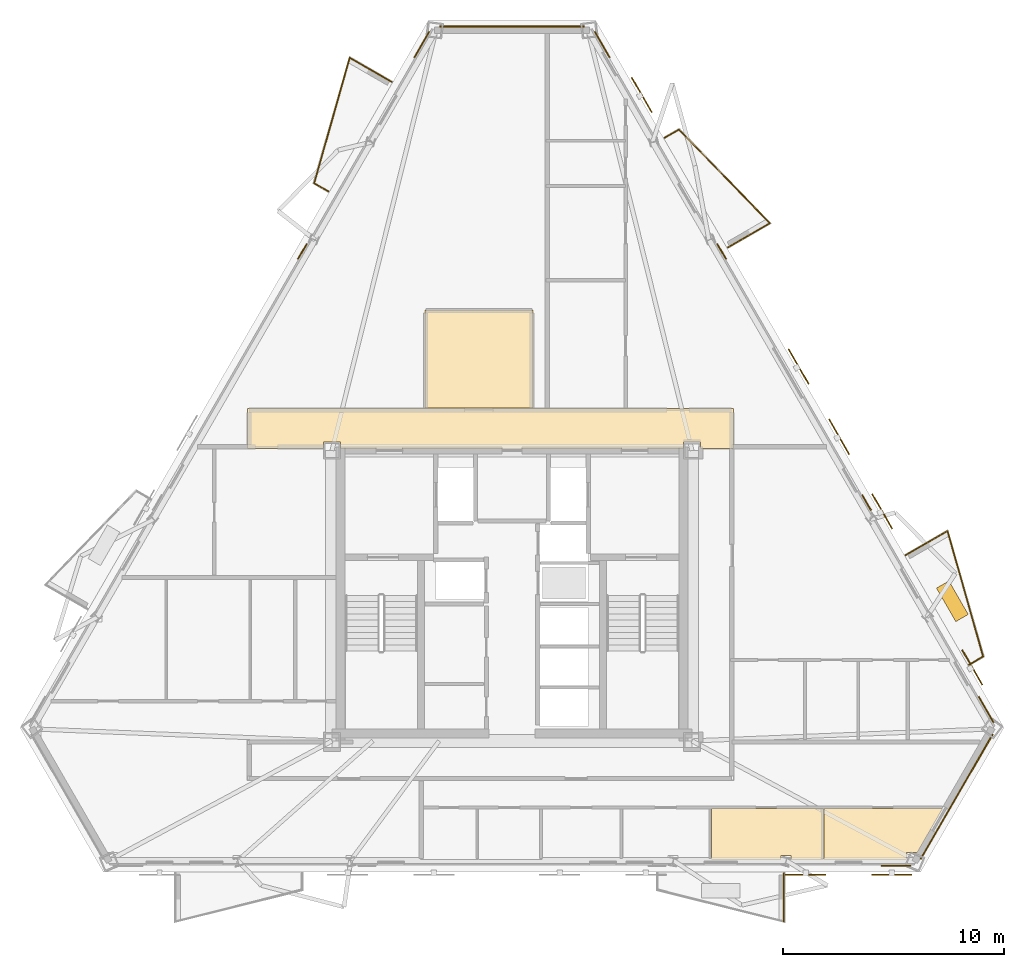
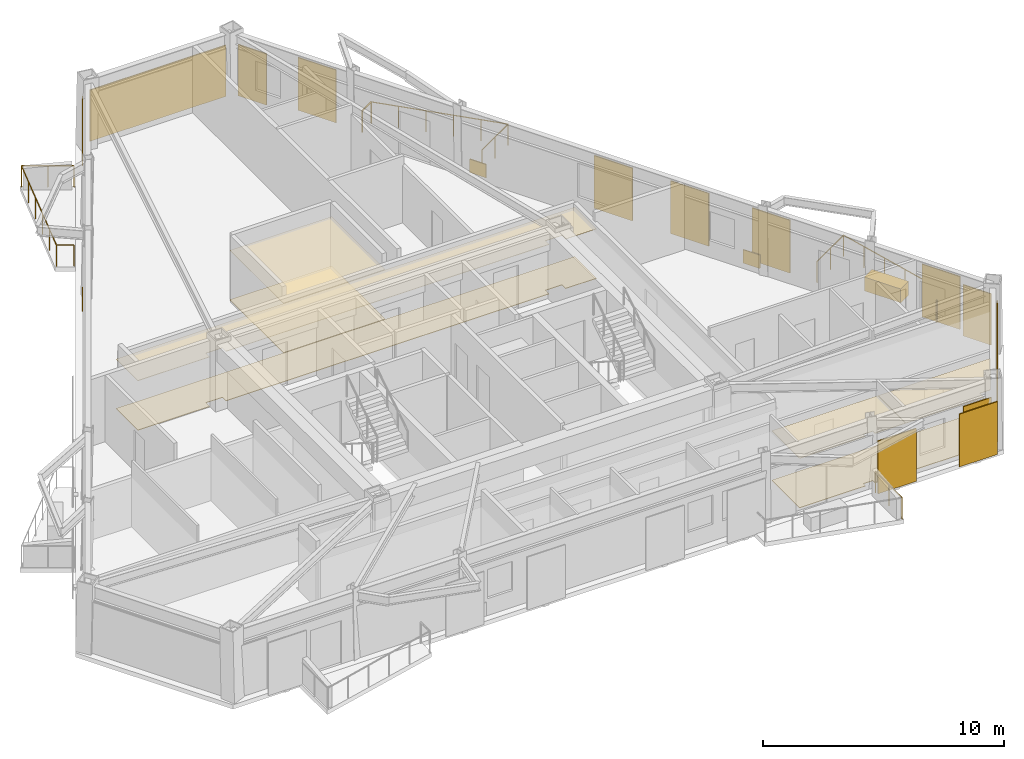
# One storey, part 9 of 10: 18 coverings, 10 railings, 7 shading devices.
"""IFC4 building model written with IfcOpenShell, lengths in metres."""

import ifcopenshell
import ifcopenshell.guid

model = None  # the IFC model being written
_history = None  # IfcOwnerHistory: only IFC2X3 demands one
_inside = {}  # id of a spatial element -> (the spatial element, [elements in it])
_under = {}  # id of a project, library or spatial element -> (it, [spatial elements below it])
_declared = {}  # id of a project -> (the project, [libraries it declares])
_typed = {}  # id of a type object -> (the type object, [elements of that type])
_made_of = {}  # id of a material, layer set ... -> (it, [elements and type objects made of it])


def new_model(schema):
    """Start an empty IFC model of exactly this schema.

    Asked for "IFC4X3", IfcOpenShell would pick the latest addendum, in which some entities
    have other attributes; the version numbers below select the first issue.
    IFC2X3 requires an IfcOwnerHistory on every rooted entity: one is made here for all.
    """
    global model, _history
    if schema == "IFC4X3":
        model = ifcopenshell.file(schema_version=(4, 3, 0, 0))
    else:
        model = ifcopenshell.file(schema=schema)
    _inside.clear()
    _under.clear()
    _declared.clear()
    _typed.clear()
    _made_of.clear()
    _history = None
    if model.schema == "IFC2X3":
        org = make("IfcOrganization", Name="unknown")
        user = make(
            "IfcPersonAndOrganization",
            ThePerson=make("IfcPerson", FamilyName="unknown"),
            TheOrganization=org,
        )
        app = make(
            "IfcApplication",
            ApplicationDeveloper=org,
            Version="unknown",
            ApplicationFullName="unknown",
            ApplicationIdentifier="unknown",
        )
        _history = make(
            "IfcOwnerHistory",
            OwningUser=user,
            OwningApplication=app,
            ChangeAction="ADDED",
            CreationDate=0,
        )
    return model


def make(cls, **values):
    """One entity of the class cls with the attributes given. An attribute that is None is left unset."""
    return model.create_entity(
        cls, **{name: value for name, value in values.items() if value is not None}
    )


def rooted(cls, **values):
    """An entity with a GlobalId (a new one), such as an element, a storey or a relation."""
    return make(cls, GlobalId=ifcopenshell.guid.new(), OwnerHistory=_history, **values)


def si_unit(unit_type, name, prefix=None):
    """IfcSIUnit, for example si_unit("LENGTHUNIT", "METRE", prefix="MILLI")."""
    return make("IfcSIUnit", UnitType=unit_type, Prefix=prefix, Name=name)


def assignment(units):
    """IfcUnitAssignment: the units of a project."""
    return None if units is None else make("IfcUnitAssignment", Units=units)


def point(xyz):
    """IfcCartesianPoint."""
    return None if xyz is None else make("IfcCartesianPoint", Coordinates=xyz)


def direction(xyz):
    """IfcDirection."""
    return None if xyz is None else make("IfcDirection", DirectionRatios=xyz)


def frame(location, z_axis=None, x_axis=None):
    """IfcAxis2Placement3D, a coordinate frame: its origin and axes. An axis left out is left unset."""
    return make(
        "IfcAxis2Placement3D",
        Location=point(location),
        Axis=direction(z_axis),
        RefDirection=direction(x_axis),
    )


def frame_2d(location, x_axis=None):
    """IfcAxis2Placement2D, a coordinate frame in the plane: its origin and x axis."""
    return make(
        "IfcAxis2Placement2D", Location=point(location), RefDirection=direction(x_axis)
    )


def origin():
    """The frame at (0, 0, 0) with its axes left unset."""
    return frame((0.0, 0.0, 0.0))


def origin_2d():
    """The frame at (0, 0) in the plane with its x axis left unset."""
    return frame_2d((0.0, 0.0))


def place(relative_to, where):
    """IfcLocalPlacement: puts the frame where relative to a parent placement (None: the world)."""
    return make(
        "IfcLocalPlacement", PlacementRelTo=relative_to, RelativePlacement=where
    )


def context(
    kind, dimensions, precision=None, world=None, true_north=None, identifier=None
):
    """IfcGeometricRepresentationContext, for example the 3D "Model" context."""
    return make(
        "IfcGeometricRepresentationContext",
        ContextIdentifier=identifier,
        ContextType=kind,
        CoordinateSpaceDimension=dimensions,
        Precision=precision,
        WorldCoordinateSystem=world,
        TrueNorth=true_north,
    )


def subcontext(parent, identifier, kind, view, scale=None):
    """IfcGeometricRepresentationSubContext, for example "Body" below "Model"."""
    return make(
        "IfcGeometricRepresentationSubContext",
        ContextIdentifier=identifier,
        ContextType=kind,
        ParentContext=parent,
        TargetScale=scale,
        TargetView=view,
    )


def project(units=None, contexts=None):
    """IfcProject with its units and contexts."""
    return rooted(
        "IfcProject",
        Name="project",
        RepresentationContexts=contexts,
        UnitsInContext=assignment(units),
    )


def spatial(cls, under=None, at=None, **own):
    """A site, building, storey or space (cls), placed at a placement, below another one or the project."""
    s = rooted(cls, ObjectPlacement=at, **own)
    if under is not None:
        _under.setdefault(under.id(), (under, []))[1].append(s)
    return s


def polyline(points):
    """IfcPolyline through the points."""
    return make("IfcPolyline", Points=[point(p) for p in points])


def profile(cls, at=None, kind="AREA", **sizes):
    """A parametric profile (cls). Its sizes go by their IFC names, for example OverallWidth=200.0."""
    return make(cls, ProfileType=kind, Position=at, **sizes)


def rectangle(**sizes):
    """IfcRectangleProfileDef."""
    return profile("IfcRectangleProfileDef", **sizes)


def circle(**sizes):
    """IfcCircleProfileDef."""
    return profile("IfcCircleProfileDef", **sizes)


def outline(outer, holes=None, kind="AREA"):
    """IfcArbitraryClosedProfileDef: a profile drawn as a closed curve; with holes, ...WithVoids."""
    if holes is None:
        return make("IfcArbitraryClosedProfileDef", ProfileType=kind, OuterCurve=outer)
    return make(
        "IfcArbitraryProfileDefWithVoids",
        ProfileType=kind,
        OuterCurve=outer,
        InnerCurves=holes,
    )


def extrude(swept, where, along, depth):
    """IfcExtrudedAreaSolid: the profile swept, set in the frame where, extruded along a direction by depth."""
    return make(
        "IfcExtrudedAreaSolid",
        SweptArea=swept,
        Position=where,
        ExtrudedDirection=direction(along),
        Depth=depth,
    )


def shape(context_of_items, identifier, shape_type, items):
    """IfcShapeRepresentation: the items that make up one representation, for example the "Body"."""
    return make(
        "IfcShapeRepresentation",
        ContextOfItems=context_of_items,
        RepresentationIdentifier=identifier,
        RepresentationType=shape_type,
        Items=items,
    )


def material(Name=None, Category=None):
    """IfcMaterial."""
    return make("IfcMaterial", Name=Name, Category=Category)


def layer(
    of_material, thickness, ventilated=None, Name=None, Category=None, Priority=None
):
    """IfcMaterialLayer: one layer of a wall or slab, of a material (None: an air gap)."""
    return make(
        "IfcMaterialLayer",
        Material=of_material,
        LayerThickness=thickness,
        IsVentilated=ventilated,
        Name=Name,
        Category=Category,
        Priority=Priority,
    )


def layer_set(layers, Name=None):
    """IfcMaterialLayerSet."""
    return make("IfcMaterialLayerSet", MaterialLayers=layers, LayerSetName=Name)


def made_of(thing, what):
    """Note that an element or type object is made of a material, layer set ...; save() writes the relation."""
    if what is not None:
        _made_of.setdefault(what.id(), (what, []))[1].append(thing)
    return thing


def type_object(cls, material=None, **own):
    """A type object (cls), such as IfcWallType, which elements share."""
    return made_of(rooted(cls, **own), material)


def element(
    cls,
    number,
    at=None,
    inside=None,
    cuts=None,
    type_object=None,
    material=None,
    context=None,
    identifier="Body",
    shape_type=None,
    held_by="IfcProductDefinitionShape",
    body=None,
    shapes=None,
    **own,
):
    """One element of the class cls, such as IfcWall. Its Tag is "e" and its number.

    at: its placement. inside: the storey or other place that contains it. cuts: it is an
    opening in that element (IfcRelVoidsElement). A single representation is given by context,
    identifier, shape_type and body (its items); several are given by shapes. held_by: the class
    of the entity that holds the representations. save() writes the other relations.
    """
    e = rooted(cls, Tag="e%d" % number, ObjectPlacement=at, **own)
    if body is not None:
        shapes = [shape(context, identifier, shape_type, body)]
    if shapes is not None:
        e.Representation = make(held_by, Representations=shapes)
    if inside is not None:
        _inside.setdefault(inside.id(), (inside, []))[1].append(e)
    if cuts is not None:
        rooted(
            "IfcRelVoidsElement", RelatingBuildingElement=cuts, RelatedOpeningElement=e
        )
    if type_object is not None:
        _typed.setdefault(type_object.id(), (type_object, []))[1].append(e)
    return made_of(e, material)


def aggregate(whole, parts):
    """IfcRelAggregates: a whole, such as a stair, and the parts it consists of."""
    return rooted("IfcRelAggregates", RelatingObject=whole, RelatedObjects=parts)


def save(model, path):
    """Write the relations noted so far, then the file.

    IfcRelAggregates (storeys below a building ...), IfcRelContainedInSpatialStructure (elements
    in a storey), IfcRelDefinesByType, IfcRelAssociatesMaterial and IfcRelDeclares: one each for
    every whole, place, type object, material and project.
    """
    for whole, parts in _under.values():
        aggregate(whole, parts)
    for where, things in _inside.values():
        rooted(
            "IfcRelContainedInSpatialStructure",
            RelatedElements=things,
            RelatingStructure=where,
        )
    for kind, things in _typed.values():
        rooted("IfcRelDefinesByType", RelatedObjects=things, RelatingType=kind)
    for what, things in _made_of.values():
        rooted("IfcRelAssociatesMaterial", RelatedObjects=things, RelatingMaterial=what)
    for by, libraries in _declared.values():
        rooted("IfcRelDeclares", RelatingContext=by, RelatedDefinitions=libraries)
    model.write(path)


model = new_model("IFC4")

# Units and contexts
model_context = context("Model", 3, precision=1e-05, world=origin(), true_north=direction((0.0, 1.0)))
body_context = subcontext(model_context, "Body", "Model", "MODEL_VIEW")
ifc_project = project(units=[si_unit("LENGTHUNIT", "METRE"), si_unit("AREAUNIT", "SQUARE_METRE"), si_unit("VOLUMEUNIT", "CUBIC_METRE"), si_unit("PLANEANGLEUNIT", "RADIAN"), si_unit("MASSUNIT", "GRAM", prefix="KILO")], contexts=[model_context])

# Site, building, storey
site_placement = place(None, origin())
site = spatial("IfcSite", under=ifc_project, at=site_placement, CompositionType="ELEMENT")
building_placement = place(site_placement, origin())
building = spatial("IfcBuilding", under=site, at=building_placement, Name="Oramaril Tower", CompositionType="ELEMENT")
storey_placement = place(building_placement, frame((0.0, 0.0, 209.10009765625)))
storey = spatial("IfcBuildingStorey", under=building, at=storey_placement, Name="L55", CompositionType="ELEMENT", Elevation=209.10009765625)

# Coverings
ifc_material_1 = material(Name="Mineral Fibre Acoustic Ceiling")
ifc_layer_1 = layer(ifc_material_1, 0.02001953125)
ifc_layer_set_1 = layer_set([ifc_layer_1], Name="CVT-CEIL")
covering_type_1 = type_object("IfcCoveringType", Name="CVT-CEIL", PredefinedType="CEILING", material=ifc_layer_set_1)
covering_1_placement = place(storey_placement, frame((0.0, 0.0, 2.511962890625)))
element("IfcCovering", 1, at=covering_1_placement, inside=storey, type_object=covering_type_1, Name="L55 Acoustic Suspended Ceiling 2", PredefinedType="CEILING", context=body_context, shape_type="SweptSolid", body=[
    extrude(outline(polyline([(47.530029296875, 24.239990234375), (46.044921875, 24.239990234375), (46.044921875, 24.544921875), (45.2548828125, 24.544921875), (45.2548828125, 24.25), (29.7451171875, 24.25), (29.7451171875, 24.544921875), (28.955078125, 24.544921875), (28.955078125, 24.239990234375), (25.52001953125, 24.239990234375), (25.52001953125, 26.050048828125), (47.530029296875, 26.050048828125), (47.530029296875, 24.239990234375)])), origin(), (0.0, 0.0, 1.0), 0.02001953125),
])
covering_2_placement = place(storey_placement, frame((0.0, 0.0, 2.511962890625)))
element("IfcCovering", 2, at=covering_2_placement, inside=storey, type_object=covering_type_1, Name="L55 Acoustic Suspended Ceiling 4", PredefinedType="CEILING", context=body_context, shape_type="SweptSolid", body=[
    extrude(outline(polyline([(38.44189453125, 30.511962890625), (38.44189453125, 26.070068359375), (33.55810546875, 26.070068359375), (33.55810546875, 30.511962890625), (38.44189453125, 30.511962890625)])), origin(), (0.0, 0.0, 1.0), 0.02001953125),
])
covering_3_placement = place(storey_placement, frame((0.0, 0.0, 2.511962890625)))
element("IfcCovering", 3, at=covering_3_placement, inside=storey, type_object=covering_type_1, Name="L55 Acoustic Suspended Ceiling 10", PredefinedType="CEILING", context=body_context, shape_type="SweptSolid", body=[
    extrude(outline(polyline([(50.13720703125, 5.625244140625), (50.13720703125, 5.80419921875), (49.67919921875, 5.80419921875), (49.67919921875, 5.625244140625), (46.521728515625, 5.625244140625), (46.521728515625, 7.9296875), (51.59912109375, 7.9296875), (51.59912109375, 5.625244140625), (50.13720703125, 5.625244140625)])), origin(), (0.0, 0.0, 1.0), 0.02001953125),
])
covering_4_placement = place(storey_placement, frame((0.0, 0.0, 2.511962890625)))
element("IfcCovering", 4, at=covering_4_placement, inside=storey, type_object=covering_type_1, Name="L55 Acoustic Suspended Ceiling 11", PredefinedType="CEILING", context=body_context, shape_type="SweptSolid", body=[
    extrude(outline(polyline([(55.36328125, 5.954833984375), (55.36328125, 5.625244140625), (51.619140625, 5.625244140625), (51.619140625, 7.9296875), (57.001220703125, 7.9296875), (55.861083984375, 5.954833984375), (55.36328125, 5.954833984375)])), origin(), (0.0, 0.0, 1.0), 0.02001953125),
])
ifc_material_2 = material(Name="Warm Cream Limestone", Category="masonry")
ifc_layer_2 = layer(ifc_material_2, 0.050048828125)
ifc_layer_set_2 = layer_set([ifc_layer_2], Name="CVT-CLD")
covering_type_2 = type_object("IfcCoveringType", Name="CVT-CLD", PredefinedType="CLADDING", material=ifc_layer_set_2)
covering_5_placement = place(storey_placement, frame((54.88330078125, 5.349365234375, 0.0400390625), z_axis=(0.0, 0.0, 1.0), x_axis=(1.0, 0.0, 0.0)))
element("IfcCovering", 5, at=covering_5_placement, inside=storey, type_object=covering_type_2, Name="L55 Warm Cream Limestone Cladding", PredefinedType="CLADDING", context=body_context, shape_type="SweptSolid", body=[
    extrude(rectangle(XDim=1.35009765625, YDim=0.050048828125, at=origin_2d()), origin(), (0.0, 0.0, 1.0), 2.596923828125),
])
covering_6_placement = place(storey_placement, frame((57.635009765625, 8.47509765625, 0.0400390625), z_axis=(0.0, 0.0, 1.0), x_axis=(0.500003022996, 0.86602365845, 0.0)))
element("IfcCovering", 6, at=covering_6_placement, inside=storey, type_object=covering_type_2, Name="L55 Warm Cream Limestone Cladding", PredefinedType="CLADDING", context=body_context, shape_type="SweptSolid", body=[
    extrude(rectangle(XDim=6.52490234375, YDim=0.050048828125, at=origin_2d()), origin(), (0.0, 0.0, 1.0), 2.596923828125),
])
for number, where, z_axis, x_axis, name in (
    (7, (58.966064453125, 12.4208984375, 0.0400390625), (0.0, 0.0, 1.0), (-0.500001511499, 0.866024531118, 0.0), "L55 Warm Cream Limestone Cladding"),
    (8, (41.582763671875, 42.52978515625, 0.0400390625), (0.0, 0.0, 1.0), (-0.500001511499, 0.866024531118, 0.0), "L55 Warm Cream Limestone Cladding"),
):
    element("IfcCovering", number, at=place(storey_placement, frame(where, z_axis=z_axis, x_axis=x_axis)), inside=storey, type_object=covering_type_2, Name=name, PredefinedType="CLADDING", context=body_context, shape_type="SweptSolid", body=[
        extrude(rectangle(XDim=1.35009765625, YDim=0.050048828125, at=origin_2d()), origin(), (0.0, 0.0, 1.0), 2.596923828125),
    ])
for number, where, z_axis, x_axis, name in (
    (9, (53.556396484375, 21.790771484375, 0.0400390625), (0.0, 0.0, 1.0), (-0.500001511499, 0.866024531118, 0.0), "L55 Warm Cream Limestone Spandrel Cladding"),
    (10, (46.992431640625, 33.159912109375, 0.0400390625), (0.0, 0.0, 1.0), (-0.500001511499, 0.866024531118, 0.0), "L55 Warm Cream Limestone Spandrel Cladding"),
):
    element("IfcCovering", number, at=place(storey_placement, frame(where, z_axis=z_axis, x_axis=x_axis)), inside=storey, type_object=covering_type_2, Name=name, PredefinedType="CLADDING", context=body_context, shape_type="SweptSolid", body=[
        extrude(rectangle(XDim=0.800048828125, YDim=0.050048828125, at=origin_2d()), origin(), (0.0, 0.0, 1.0), 0.679931640625),
    ])
covering_7_placement = place(storey_placement, frame((37.5, 43.349853515625, 0.0400390625), z_axis=(0.0, 0.0, 1.0), x_axis=(-1.0, 0.0, 0.0)))
element("IfcCovering", 11, at=covering_7_placement, inside=storey, type_object=covering_type_2, Name="L55 Warm Cream Limestone Cladding", PredefinedType="CLADDING", context=body_context, shape_type="SweptSolid", body=[
    extrude(rectangle(XDim=6.524658203125, YDim=0.050048828125, at=origin_2d()), origin(), (0.0, 0.0, 1.0), 2.596923828125),
])
covering_8_placement = place(storey_placement, frame((33.417236328125, 42.52978515625, 0.0400390625), z_axis=(0.0, 0.0, 1.0), x_axis=(-0.500001511499, -0.866024531118, 0.0)))
element("IfcCovering", 12, at=covering_8_placement, inside=storey, type_object=covering_type_2, Name="L55 Warm Cream Limestone Cladding", PredefinedType="CLADDING", context=body_context, shape_type="SweptSolid", body=[
    extrude(rectangle(XDim=1.35009765625, YDim=0.050048828125, at=origin_2d()), origin(), (0.0, 0.0, 1.0), 2.596923828125),
])
covering_9_placement = place(storey_placement, frame((28.007568359375, 33.159912109375, 0.0400390625), z_axis=(0.0, 0.0, 1.0), x_axis=(-0.500001511499, -0.866024531118, 0.0)))
element("IfcCovering", 13, at=covering_9_placement, inside=storey, type_object=covering_type_2, Name="L55 Warm Cream Limestone Spandrel Cladding", PredefinedType="CLADDING", context=body_context, shape_type="SweptSolid", body=[
    extrude(rectangle(XDim=0.800048828125, YDim=0.050048828125, at=origin_2d()), origin(), (0.0, 0.0, 1.0), 0.679931640625),
])
covering_10_placement = place(storey_placement, frame((57.438720703125, 17.323486328125, 0.0), z_axis=(0.0, 0.0, 1.0), x_axis=(-0.500001511499, 0.866024531118, 0.0)))
element("IfcCovering", 14, at=covering_10_placement, inside=storey, type_object=covering_type_2, Name="L55 Structural Tree Planter Box L55-BAL-NE1", PredefinedType="CLADDING", context=body_context, shape_type="SweptSolid", body=[
    extrude(rectangle(XDim=1.75, YDim=0.64990234375, at=origin_2d()), origin(), (0.0, 0.0, 1.0), 0.699951171875),
])
ifc_material_3 = material(Name="Honed Quartzite Stone Flooring", Category="masonry")
ifc_layer_3 = layer(ifc_material_3, 0.02490234375)
ifc_layer_set_3 = layer_set([ifc_layer_3], Name="CVT-FLR")
covering_type_3 = type_object("IfcCoveringType", Name="CVT-FLR", PredefinedType="FLOORING", material=ifc_layer_set_3)
covering_11_placement = place(storey_placement, origin())
element("IfcCovering", 15, at=covering_11_placement, inside=storey, type_object=covering_type_3, Name="L55 Honed Stone Floor Finish 2", PredefinedType="FLOORING", context=body_context, shape_type="SweptSolid", body=[
    extrude(outline(polyline([(47.530029296875, 24.239990234375), (46.044921875, 24.239990234375), (46.044921875, 24.544921875), (45.2548828125, 24.544921875), (45.2548828125, 24.25), (29.7451171875, 24.25), (29.7451171875, 24.544921875), (28.955078125, 24.544921875), (28.955078125, 24.239990234375), (25.52001953125, 24.239990234375), (25.52001953125, 26.050048828125), (47.530029296875, 26.050048828125), (47.530029296875, 24.239990234375)])), origin(), (0.0, 0.0, 1.0), 0.02490234375),
])
covering_12_placement = place(storey_placement, origin())
element("IfcCovering", 16, at=covering_12_placement, inside=storey, type_object=covering_type_3, Name="L55 Honed Stone Floor Finish 4", PredefinedType="FLOORING", context=body_context, shape_type="SweptSolid", body=[
    extrude(outline(polyline([(38.44189453125, 30.511962890625), (38.44189453125, 26.070068359375), (33.55810546875, 26.070068359375), (33.55810546875, 30.511962890625), (38.44189453125, 30.511962890625)])), origin(), (0.0, 0.0, 1.0), 0.02490234375),
])
covering_13_placement = place(storey_placement, origin())
element("IfcCovering", 17, at=covering_13_placement, inside=storey, type_object=covering_type_3, Name="L55 Honed Stone Floor Finish 10", PredefinedType="FLOORING", context=body_context, shape_type="SweptSolid", body=[
    extrude(outline(polyline([(50.13720703125, 5.625244140625), (50.13720703125, 5.80419921875), (49.67919921875, 5.80419921875), (49.67919921875, 5.625244140625), (46.521728515625, 5.625244140625), (46.521728515625, 7.9296875), (51.59912109375, 7.9296875), (51.59912109375, 5.625244140625), (50.13720703125, 5.625244140625)])), origin(), (0.0, 0.0, 1.0), 0.02490234375),
])
covering_14_placement = place(storey_placement, origin())
element("IfcCovering", 18, at=covering_14_placement, inside=storey, type_object=covering_type_3, Name="L55 Honed Stone Floor Finish 11", PredefinedType="FLOORING", context=body_context, shape_type="SweptSolid", body=[
    extrude(outline(polyline([(55.36328125, 5.954833984375), (55.36328125, 5.625244140625), (51.619140625, 5.625244140625), (51.619140625, 7.9296875), (57.001220703125, 7.9296875), (55.861083984375, 5.954833984375), (55.36328125, 5.954833984375)])), origin(), (0.0, 0.0, 1.0), 0.02490234375),
])

# Railings
ifc_material_4 = material(Name="Stainless Steel 316L", Category="steel")
railing_type = type_object("IfcRailingType", Name="RLT-GRD", PredefinedType="GUARDRAIL", material=ifc_material_4)
railing_1_placement = place(storey_placement, frame((49.813720703125, 5.00927734375, 0.0)))
element("IfcRailing", 19, at=railing_1_placement, inside=storey, type_object=railing_type, Name="L55 Balcony Guardrail L55-BAL-S2.1", PredefinedType="GUARDRAIL", context=body_context, shape_type="SweptSolid", body=[
    extrude(circle(Radius=0.02392578125, at=origin_2d()), frame((0.0, 0.0, 1.076171875), z_axis=(0.0, -1.0, 0.0), x_axis=(1.0, 0.0, 0.0)), (0.0, 0.0, 1.0), 2.19189453125),
    extrude(circle(Radius=0.02099609375, at=origin_2d()), origin(), (0.0, 0.0, 1.0), 1.052001953125),
    extrude(circle(Radius=0.02099609375, at=origin_2d()), frame((0.0, -1.095947265625, 0.0)), (0.0, 0.0, 1.0), 1.052001953125),
    extrude(circle(Radius=0.02099609375, at=origin_2d()), frame((0.0, -2.19189453125, 0.0)), (0.0, 0.0, 1.0), 1.052001953125),
])
railing_2_placement = place(storey_placement, frame((55.323486328125, 19.410400390625, 0.0)))
element("IfcRailing", 20, at=railing_2_placement, inside=storey, type_object=railing_type, Name="L55 Balcony Guardrail L55-BAL-NE1.1", PredefinedType="GUARDRAIL", context=body_context, shape_type="SweptSolid", body=[
    extrude(circle(Radius=0.02392578125, at=origin_2d()), frame((0.0, 0.0, 1.076171875), z_axis=(0.866020500697, 0.5000084923, 0.0), x_axis=(-0.5000084923, 0.866020500697, 0.0)), (0.0, 0.0, 1.0), 2.19189453125),
    extrude(circle(Radius=0.02099609375, at=origin_2d()), origin(), (0.0, 0.0, 1.0), 1.052001953125),
    extrude(circle(Radius=0.02099609375, at=origin_2d()), frame((0.94921875, 0.5478515625, 0.0)), (0.0, 0.0, 1.0), 1.052001953125),
    extrude(circle(Radius=0.02099609375, at=origin_2d()), frame((1.898193359375, 1.095947265625, 0.0)), (0.0, 0.0, 1.0), 1.052001953125),
])
railing_3_placement = place(storey_placement, frame((57.2216796875, 20.50634765625, 0.0)))
element("IfcRailing", 21, at=railing_3_placement, inside=storey, type_object=railing_type, Name="L55 Balcony Guardrail L55-BAL-NE1.2", PredefinedType="GUARDRAIL", context=body_context, shape_type="SweptSolid", body=[
    extrude(circle(Radius=0.02392578125, at=origin_2d()), frame((0.0, 0.0, 1.076171875), z_axis=(0.27224886544, -0.962226873074, 0.0), x_axis=(0.962226873074, 0.27224886544, 0.0)), (0.0, 0.0, 1.0), 5.910400390625),
    extrude(circle(Radius=0.02099609375, at=origin_2d()), origin(), (0.0, 0.0, 1.0), 1.052001953125),
    extrude(circle(Radius=0.02099609375, at=origin_2d()), frame((0.32177734375, -1.137451171875, 0.0)), (0.0, 0.0, 1.0), 1.052001953125),
    extrude(circle(Radius=0.02099609375, at=origin_2d()), frame((0.6435546875, -2.27490234375, 0.0)), (0.0, 0.0, 1.0), 1.052001953125),
    extrude(circle(Radius=0.02099609375, at=origin_2d()), frame((0.965576171875, -3.412353515625, 0.0)), (0.0, 0.0, 1.0), 1.052001953125),
    extrude(circle(Radius=0.02099609375, at=origin_2d()), frame((1.287353515625, -4.5498046875, 0.0)), (0.0, 0.0, 1.0), 1.052001953125),
    extrude(circle(Radius=0.02099609375, at=origin_2d()), frame((1.609130859375, -5.687255859375, 0.0)), (0.0, 0.0, 1.0), 1.052001953125),
])
railing_4_placement = place(storey_placement, frame((58.830810546875, 14.819091796875, 0.0)))
element("IfcRailing", 22, at=railing_4_placement, inside=storey, type_object=railing_type, Name="L55 Balcony Guardrail L55-BAL-NE1.3", PredefinedType="GUARDRAIL", context=body_context, shape_type="SweptSolid", body=[
    extrude(circle(Radius=0.02392578125, at=origin_2d()), frame((0.0, 0.0, 1.076171875), z_axis=(-0.866026623601, -0.49999788721, 0.0), x_axis=(0.49999788721, -0.866026623601, 0.0)), (0.0, 0.0, 1.0), 0.74169921875),
    extrude(circle(Radius=0.02099609375, at=origin_2d()), origin(), (0.0, 0.0, 1.0), 1.052001953125),
    extrude(circle(Radius=0.02099609375, at=origin_2d()), frame((-0.642333984375, -0.370849609375, 0.0)), (0.0, 0.0, 1.0), 1.052001953125),
])
railing_5_placement = place(storey_placement, frame((44.412109375, 38.309326171875, 0.0)))
element("IfcRailing", 23, at=railing_5_placement, inside=storey, type_object=railing_type, Name="L55 Balcony Guardrail L55-BAL-NE2.1", PredefinedType="GUARDRAIL", context=body_context, shape_type="SweptSolid", body=[
    extrude(circle(Radius=0.02392578125, at=origin_2d()), frame((0.0, 0.0, 1.076171875), z_axis=(0.865884080729, 0.500244698863, 0.0), x_axis=(-0.500244698863, 0.865884080729, 0.0)), (0.0, 0.0, 1.0), 0.741943359375),
    extrude(circle(Radius=0.02099609375, at=origin_2d()), origin(), (0.0, 0.0, 1.0), 1.052001953125),
    extrude(circle(Radius=0.02099609375, at=origin_2d()), frame((0.642333984375, 0.37109375, 0.0)), (0.0, 0.0, 1.0), 1.052001953125),
])
railing_6_placement = place(storey_placement, frame((45.054443359375, 38.680419921875, 0.0)))
element("IfcRailing", 24, at=railing_6_placement, inside=storey, type_object=railing_type, Name="L55 Balcony Guardrail L55-BAL-NE2.2", PredefinedType="GUARDRAIL", context=body_context, shape_type="SweptSolid", body=[
    extrude(circle(Radius=0.02392578125, at=origin_2d()), frame((0.0, 0.0, 1.076171875), z_axis=(0.697186915353, -0.716889395277, 0.0), x_axis=(0.716889395277, 0.697186915353, 0.0)), (0.0, 0.0, 1.0), 5.91064453125),
    extrude(circle(Radius=0.02099609375, at=origin_2d()), origin(), (0.0, 0.0, 1.0), 1.052001953125),
    extrude(circle(Radius=0.02099609375, at=origin_2d()), frame((0.82421875, -0.847412109375, 0.0)), (0.0, 0.0, 1.0), 1.052001953125),
    extrude(circle(Radius=0.02099609375, at=origin_2d()), frame((1.6484375, -1.69482421875, 0.0)), (0.0, 0.0, 1.0), 1.052001953125),
    extrude(circle(Radius=0.02099609375, at=origin_2d()), frame((2.472412109375, -2.54248046875, 0.0)), (0.0, 0.0, 1.0), 1.052001953125),
    extrude(circle(Radius=0.02099609375, at=origin_2d()), frame((3.296630859375, -3.389892578125, 0.0)), (0.0, 0.0, 1.0), 1.052001953125),
    extrude(circle(Radius=0.02099609375, at=origin_2d()), frame((4.120849609375, -4.2373046875, 0.0)), (0.0, 0.0, 1.0), 1.052001953125),
])
railing_7_placement = place(storey_placement, frame((49.17529296875, 34.443115234375, 0.0)))
element("IfcRailing", 25, at=railing_7_placement, inside=storey, type_object=railing_type, Name="L55 Balcony Guardrail L55-BAL-NE2.3", PredefinedType="GUARDRAIL", context=body_context, shape_type="SweptSolid", body=[
    extrude(circle(Radius=0.02392578125, at=origin_2d()), frame((0.0, 0.0, 1.076171875), z_axis=(-0.866020500697, -0.5000084923, 0.0), x_axis=(0.5000084923, -0.866020500697, 0.0)), (0.0, 0.0, 1.0), 2.19189453125),
    extrude(circle(Radius=0.02099609375, at=origin_2d()), origin(), (0.0, 0.0, 1.0), 1.052001953125),
    extrude(circle(Radius=0.02099609375, at=origin_2d()), frame((-0.94921875, -0.5478515625, 0.0)), (0.0, 0.0, 1.0), 1.052001953125),
    extrude(circle(Radius=0.02099609375, at=origin_2d()), frame((-1.898193359375, -1.095947265625, 0.0)), (0.0, 0.0, 1.0), 1.052001953125),
])
railing_8_placement = place(storey_placement, frame((29.185546875, 35.88037109375, 0.0)))
element("IfcRailing", 26, at=railing_8_placement, inside=storey, type_object=railing_type, Name="L55 Balcony Guardrail L55-BAL-NW1.1", PredefinedType="GUARDRAIL", context=body_context, shape_type="SweptSolid", body=[
    extrude(circle(Radius=0.02392578125, at=origin_2d()), frame((0.0, 0.0, 1.076171875), z_axis=(-0.866108878364, 0.499855389907, 0.0), x_axis=(-0.499855389907, -0.866108878364, 0.0)), (0.0, 0.0, 1.0), 0.741943359375),
    extrude(circle(Radius=0.02099609375, at=origin_2d()), origin(), (0.0, 0.0, 1.0), 1.052001953125),
    extrude(circle(Radius=0.02099609375, at=origin_2d()), frame((-0.642578125, 0.370849609375, 0.0)), (0.0, 0.0, 1.0), 1.052001953125),
])
railing_9_placement = place(storey_placement, frame((28.54296875, 36.251220703125, 0.0)))
element("IfcRailing", 27, at=railing_9_placement, inside=storey, type_object=railing_type, Name="L55 Balcony Guardrail L55-BAL-NW1.2", PredefinedType="GUARDRAIL", context=body_context, shape_type="SweptSolid", body=[
    extrude(circle(Radius=0.02392578125, at=origin_2d()), frame((0.0, 0.0, 1.076171875), z_axis=(0.27224886544, 0.962226873074, 0.0), x_axis=(-0.962226873074, 0.27224886544, 0.0)), (0.0, 0.0, 1.0), 5.910400390625),
    extrude(circle(Radius=0.02099609375, at=origin_2d()), origin(), (0.0, 0.0, 1.0), 1.052001953125),
    extrude(circle(Radius=0.02099609375, at=origin_2d()), frame((0.32177734375, 1.137451171875, 0.0)), (0.0, 0.0, 1.0), 1.052001953125),
    extrude(circle(Radius=0.02099609375, at=origin_2d()), frame((0.6435546875, 2.27490234375, 0.0)), (0.0, 0.0, 1.0), 1.052001953125),
    extrude(circle(Radius=0.02099609375, at=origin_2d()), frame((0.965576171875, 3.412353515625, 0.0)), (0.0, 0.0, 1.0), 1.052001953125),
    extrude(circle(Radius=0.02099609375, at=origin_2d()), frame((1.287353515625, 4.5498046875, 0.0)), (0.0, 0.0, 1.0), 1.052001953125),
    extrude(circle(Radius=0.02099609375, at=origin_2d()), frame((1.609130859375, 5.687255859375, 0.0)), (0.0, 0.0, 1.0), 1.052001953125),
])
railing_10_placement = place(storey_placement, frame((30.152099609375, 41.9384765625, 0.0)))
element("IfcRailing", 28, at=railing_10_placement, inside=storey, type_object=railing_type, Name="L55 Balcony Guardrail L55-BAL-NW1.3", PredefinedType="GUARDRAIL", context=body_context, shape_type="SweptSolid", body=[
    extrude(circle(Radius=0.02392578125, at=origin_2d()), frame((0.0, 0.0, 1.076171875), z_axis=(0.866048343933, -0.499960264392, 0.0), x_axis=(0.499960264392, 0.866048343933, 0.0)), (0.0, 0.0, 1.0), 2.192138671875),
    extrude(circle(Radius=0.02099609375, at=origin_2d()), origin(), (0.0, 0.0, 1.0), 1.052001953125),
    extrude(circle(Radius=0.02099609375, at=origin_2d()), frame((0.94921875, -0.5478515625, 0.0)), (0.0, 0.0, 1.0), 1.052001953125),
    extrude(circle(Radius=0.02099609375, at=origin_2d()), frame((1.8984375, -1.095947265625, 0.0)), (0.0, 0.0, 1.0), 1.052001953125),
])

# Shading devices
for number, where, z_axis, x_axis, name in (
    (29, (50.794189453125, 4.937255859375, -0.02001953125), (0.0, 0.0, 1.0), (1.0, 0.0, 0.0), "L55 Perforated Ceramic Solar Screen"),
    (30, (54.694091796875, 4.937255859375, -0.02001953125), (0.0, 0.0, 1.0), (1.0, 0.0, 0.0), "L55 Perforated Ceramic Solar Screen"),
    (31, (54.260986328125, 21.394287109375, -0.02001953125), (0.0, 0.0, 1.0), (-0.500001511499, 0.866024531118, 0.0), "L55 Perforated Ceramic Solar Screen"),
    (32, (52.31103515625, 24.77197265625, -0.02001953125), (0.0, 0.0, 1.0), (-0.500001511499, 0.866024531118, 0.0), "L55 Perforated Ceramic Solar Screen"),
    (33, (58.3388671875, 14.33154296875, -0.02001953125), (0.0, 0.0, 1.0), (-0.500001511499, 0.866024531118, 0.0), "L55 Perforated Ceramic Solar Screen"),
    (34, (50.47802734375, 27.946533203125, -0.02001953125), (0.0, 0.0, 1.0), (-0.500001511499, 0.866024531118, 0.0), "L55 Perforated Ceramic Solar Screen"),
    (35, (43.37353515625, 40.251953125, -0.02001953125), (0.0, 0.0, 1.0), (-0.500001511499, 0.866024531118, 0.0), "L55 Perforated Ceramic Solar Screen"),
):
    element("IfcShadingDevice", number, at=place(storey_placement, frame(where, z_axis=z_axis, x_axis=x_axis)), inside=storey, Name=name, ObjectType="SCREEN", PredefinedType="USERDEFINED", context=body_context, shape_type="SweptSolid", body=[
        extrude(rectangle(XDim=1.8330078125, YDim=0.050048828125, at=origin_2d()), origin(), (0.0, 0.0, 1.0), 2.677001953125),
    ])

save(model, "model.ifc")
